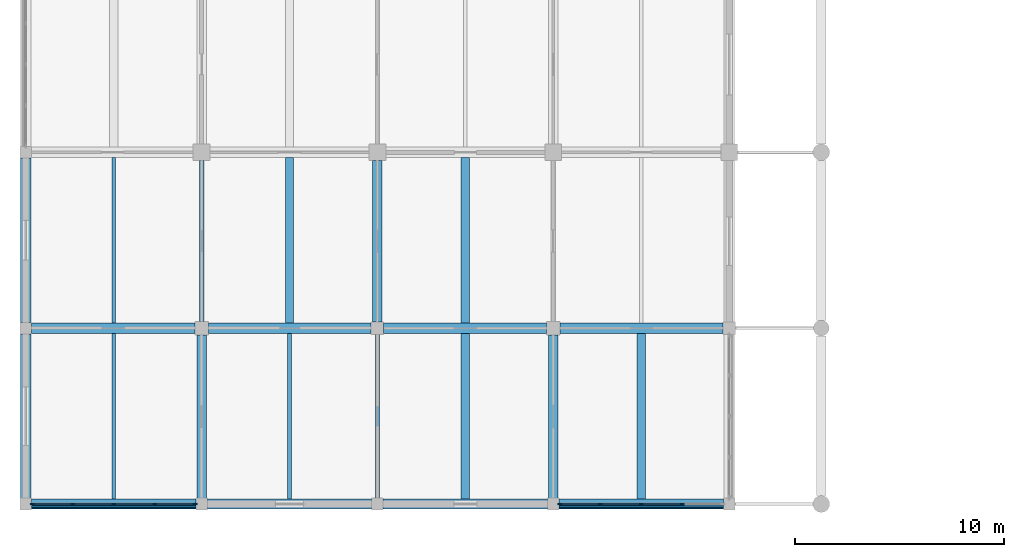
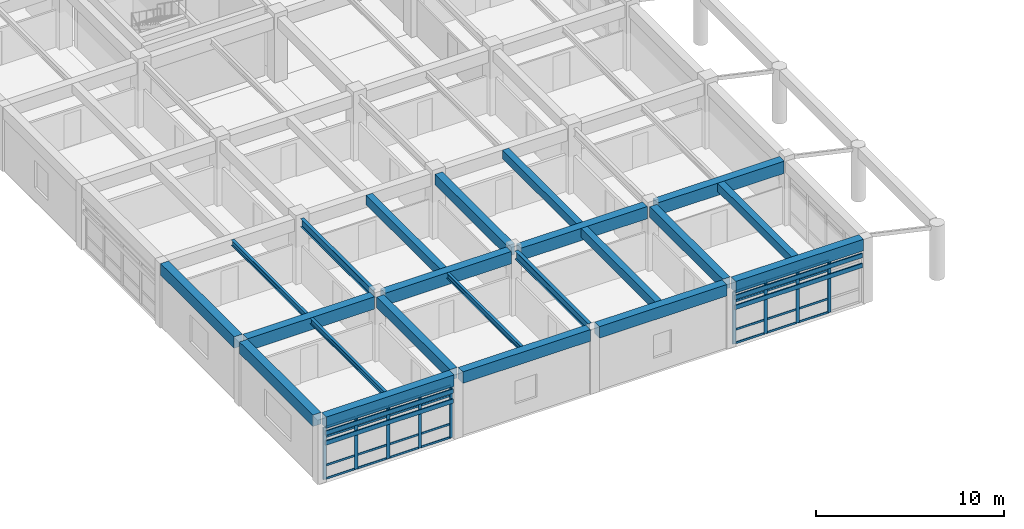
# One storey, part 3 of 99: 41 members, 22 beams, 2 elements without a shape of their own.
"""IFC4 building model written with IfcOpenShell, lengths in metres."""

from ifc_helpers import new_model, si_unit, direction, frame, origin, origin_2d, place, context, subcontext, project, spatial, rectangle, i_section, extrude, material, layer, layer_set, material_profile, profile_set, type_object, element, aggregate, save


model = new_model("IFC4")

# Units and contexts
model_context = context("Model", 3, precision=1e-05, world=origin(), true_north=direction((0.0, 1.0)))
body_context = subcontext(model_context, "Body", "Model", "MODEL_VIEW")
ifc_project = project(units=[si_unit("LENGTHUNIT", "METRE"), si_unit("AREAUNIT", "SQUARE_METRE"), si_unit("VOLUMEUNIT", "CUBIC_METRE"), si_unit("PLANEANGLEUNIT", "RADIAN"), si_unit("MASSUNIT", "GRAM", prefix="KILO")], contexts=[model_context])

# Site, building, storey
site_placement = place(None, origin())
site = spatial("IfcSite", under=ifc_project, at=site_placement, CompositionType="ELEMENT")
building_placement = place(site_placement, origin())
building = spatial("IfcBuilding", under=site, at=building_placement, Name="Porcellanite Civic Hall", CompositionType="ELEMENT")
storey_placement = place(building_placement, frame((0.0, 0.0, 5.760009765625)))
storey = spatial("IfcBuildingStorey", under=building, at=storey_placement, Name="L01", CompositionType="ELEMENT", Elevation=5.760009765625)

# Beams
ifc_material_1 = material(Name="Concrete N50 (50 MPa)", Category="concrete")
ifc_material_profile_1 = material_profile(ifc_material_1, rectangle(XDim=0.39990234375, YDim=0.550048828125, at=origin_2d()), Name="RC-400x550")
ifc_profile_set_1 = profile_set([ifc_material_profile_1], Name="Concrete N50 (50 MPa)")
beam_type_1 = type_object("IfcBeamType", Name="BM-RC550", PredefinedType="JOIST", material=ifc_profile_set_1)
beam_1_placement = place(storey_placement, frame((21.0, 8.6494140625, 3.925048828125), z_axis=(0.0, 1.0, 0.0), x_axis=(-1.0, 0.0, 0.0)))
element("IfcBeam", 1, at=beam_1_placement, inside=storey, type_object=beam_type_1, Name="Secondary joist L01 3-2", PredefinedType="JOIST", context=body_context, shape_type="SweptSolid", body=[
    extrude(rectangle(XDim=0.39990234375, YDim=0.550048828125, at=origin_2d()), origin(), (0.0, 0.0, 1.0), 7.901123046875),
])
beam_2_placement = place(storey_placement, frame((29.39990234375, 0.24951171875, 3.925048828125), z_axis=(0.0, 1.0, 0.0), x_axis=(-1.0, 0.0, 0.0)))
element("IfcBeam", 2, at=beam_2_placement, inside=storey, type_object=beam_type_1, Name="Secondary joist L01 4-1", PredefinedType="JOIST", context=body_context, shape_type="SweptSolid", body=[
    extrude(rectangle(XDim=0.39990234375, YDim=0.550048828125, at=origin_2d()), origin(), (0.0, 0.0, 1.0), 7.90087890625),
])
ifc_material_2 = material(Name="Concrete N50 (50 MPa)", Category="concrete")
ifc_material_profile_2 = material_profile(ifc_material_2, rectangle(XDim=0.39990234375, YDim=0.60009765625, at=origin_2d()), Name="RC-400x600")
ifc_profile_set_2 = profile_set([ifc_material_profile_2], Name="Concrete N50 (50 MPa)")
beam_type_2 = type_object("IfcBeamType", Name="BM-RC600", PredefinedType="JOIST", material=ifc_profile_set_2)
beam_3_placement = place(storey_placement, frame((12.60009765625, 8.6494140625, 3.89990234375), z_axis=(0.0, 1.0, 0.0), x_axis=(-1.0, 0.0, 0.0)))
element("IfcBeam", 3, at=beam_3_placement, inside=storey, type_object=beam_type_2, Name="Secondary joist L01 2-2", PredefinedType="JOIST", context=body_context, shape_type="SweptSolid", body=[
    extrude(rectangle(XDim=0.39990234375, YDim=0.60009765625, at=origin_2d()), origin(), (0.0, 0.0, 1.0), 7.901123046875),
])
beam_4_placement = place(storey_placement, frame((21.0, 0.24951171875, 3.89990234375), z_axis=(0.0, 1.0, 0.0), x_axis=(-1.0, 0.0, 0.0)))
element("IfcBeam", 4, at=beam_4_placement, inside=storey, type_object=beam_type_2, Name="Secondary joist L01 3-1", PredefinedType="JOIST", context=body_context, shape_type="SweptSolid", body=[
    extrude(rectangle(XDim=0.39990234375, YDim=0.60009765625, at=origin_2d()), origin(), (0.0, 0.0, 1.0), 7.90087890625),
])
ifc_material_3 = material(Name="Concrete N50 (50 MPa)", Category="concrete")
ifc_material_profile_3 = material_profile(ifc_material_3, rectangle(XDim=0.449951171875, YDim=0.699951171875, at=origin_2d()), Name="RC-450x700")
ifc_profile_set_3 = profile_set([ifc_material_profile_3], Name="Concrete N50 (50 MPa)")
beam_type_3 = type_object("IfcBeamType", Name="BM-RC700", PredefinedType="BEAM", material=ifc_profile_set_3)
beam_5_placement = place(storey_placement, frame((8.39990234375, 0.2744140625, 3.85009765625), z_axis=(0.0, 1.0, 0.0), x_axis=(-1.0, 0.0, 0.0)))
element("IfcBeam", 5, at=beam_5_placement, inside=storey, type_object=beam_type_3, Name="Beam Y L01 2-1", PredefinedType="BEAM", context=body_context, shape_type="SweptSolid", body=[
    extrude(rectangle(XDim=0.449951171875, YDim=0.699951171875, at=origin_2d()), origin(), (0.0, 0.0, 1.0), 7.801025390625),
])
beam_6_placement = place(storey_placement, frame((16.800048828125, 8.699462890625, 3.85009765625), z_axis=(0.0, 1.0, 0.0), x_axis=(-1.0, 0.0, 0.0)))
element("IfcBeam", 6, at=beam_6_placement, inside=storey, type_object=beam_type_3, Name="Beam Y L01 3-2", PredefinedType="BEAM", context=body_context, shape_type="SweptSolid", body=[
    extrude(rectangle(XDim=0.449951171875, YDim=0.699951171875, at=origin_2d()), origin(), (0.0, 0.0, 1.0), 7.700927734375),
])
beam_7_placement = place(storey_placement, frame((25.199951171875, 0.2744140625, 3.85009765625), z_axis=(0.0, 1.0, 0.0), x_axis=(-1.0, 0.0, 0.0)))
element("IfcBeam", 7, at=beam_7_placement, inside=storey, type_object=beam_type_3, Name="Beam Y L01 4-1", PredefinedType="BEAM", context=body_context, shape_type="SweptSolid", body=[
    extrude(rectangle(XDim=0.449951171875, YDim=0.699951171875, at=origin_2d()), origin(), (0.0, 0.0, 1.0), 7.801025390625),
])
ifc_material_4 = material(Name="Concrete N50 (50 MPa)", Category="concrete")
ifc_material_profile_4 = material_profile(ifc_material_4, rectangle(XDim=0.5, YDim=0.75, at=origin_2d()), Name="RC-500x750")
ifc_profile_set_4 = profile_set([ifc_material_profile_4], Name="Concrete N50 (50 MPa)")
beam_type_4 = type_object("IfcBeamType", Name="BM-RC750", PredefinedType="SPANDREL", material=ifc_profile_set_4)
beam_8_placement = place(storey_placement, frame((0.2744140625, 0.0, 3.824951171875), z_axis=(1.0, 0.0, 0.0), x_axis=(0.0, 1.0, 0.0)))
element("IfcBeam", 8, at=beam_8_placement, inside=storey, type_object=beam_type_4, Name="Beam X L01 1-1", PredefinedType="SPANDREL", context=body_context, shape_type="SweptSolid", body=[
    extrude(rectangle(XDim=0.5, YDim=0.75, at=origin_2d()), origin(), (0.0, 0.0, 1.0), 7.85107421875),
])
beam_9_placement = place(storey_placement, frame((8.674560546875, 0.0, 3.824951171875), z_axis=(1.0, 0.0, 0.0), x_axis=(0.0, 1.0, 0.0)))
element("IfcBeam", 9, at=beam_9_placement, inside=storey, type_object=beam_type_4, Name="Beam X L01 2-1", PredefinedType="SPANDREL", context=body_context, shape_type="SweptSolid", body=[
    extrude(rectangle(XDim=0.5, YDim=0.75, at=origin_2d()), origin(), (0.0, 0.0, 1.0), 7.850830078125),
])
beam_10_placement = place(storey_placement, frame((17.074462890625, 0.0, 3.824951171875), z_axis=(1.0, 0.0, 0.0), x_axis=(0.0, 1.0, 0.0)))
element("IfcBeam", 10, at=beam_10_placement, inside=storey, type_object=beam_type_4, Name="Beam X L01 3-1", PredefinedType="SPANDREL", context=body_context, shape_type="SweptSolid", body=[
    extrude(rectangle(XDim=0.5, YDim=0.75, at=origin_2d()), origin(), (0.0, 0.0, 1.0), 7.85107421875),
])
beam_11_placement = place(storey_placement, frame((25.474609375, 0.0, 3.824951171875), z_axis=(1.0, 0.0, 0.0), x_axis=(0.0, 1.0, 0.0)))
element("IfcBeam", 11, at=beam_11_placement, inside=storey, type_object=beam_type_4, Name="Beam X L01 4-1", PredefinedType="SPANDREL", context=body_context, shape_type="SweptSolid", body=[
    extrude(rectangle(XDim=0.5, YDim=0.75, at=origin_2d()), origin(), (0.0, 0.0, 1.0), 7.850830078125),
])
beam_12_placement = place(storey_placement, frame((0.0, 0.2744140625, 3.824951171875), z_axis=(0.0, 1.0, 0.0), x_axis=(-1.0, 0.0, 0.0)))
element("IfcBeam", 12, at=beam_12_placement, inside=storey, type_object=beam_type_4, Name="Beam Y L01 1-1", PredefinedType="SPANDREL", context=body_context, shape_type="SweptSolid", body=[
    extrude(rectangle(XDim=0.5, YDim=0.75, at=origin_2d()), origin(), (0.0, 0.0, 1.0), 7.85107421875),
])
beam_13_placement = place(storey_placement, frame((0.0, 8.674560546875, 3.824951171875), z_axis=(0.0, 1.0, 0.0), x_axis=(-1.0, 0.0, 0.0)))
element("IfcBeam", 13, at=beam_13_placement, inside=storey, type_object=beam_type_4, Name="Beam Y L01 1-2", PredefinedType="SPANDREL", context=body_context, shape_type="SweptSolid", body=[
    extrude(rectangle(XDim=0.5, YDim=0.75, at=origin_2d()), origin(), (0.0, 0.0, 1.0), 7.850830078125),
])
ifc_material_5 = material(Name="Concrete N50 (50 MPa)", Category="concrete")
ifc_material_profile_5 = material_profile(ifc_material_5, rectangle(XDim=0.5, YDim=0.800048828125, at=origin_2d()), Name="RC-500x800")
ifc_profile_set_5 = profile_set([ifc_material_profile_5], Name="Concrete N50 (50 MPa)")
beam_type_5 = type_object("IfcBeamType", Name="BM-RC800", PredefinedType="BEAM", material=ifc_profile_set_5)
beam_14_placement = place(storey_placement, frame((0.2744140625, 8.39990234375, 3.800048828125), z_axis=(1.0, 0.0, 0.0), x_axis=(0.0, 1.0, 0.0)))
element("IfcBeam", 14, at=beam_14_placement, inside=storey, type_object=beam_type_5, Name="Beam X L01 1-2", PredefinedType="BEAM", context=body_context, shape_type="SweptSolid", body=[
    extrude(rectangle(XDim=0.5, YDim=0.800048828125, at=origin_2d()), origin(), (0.0, 0.0, 1.0), 7.801025390625),
])
for number, where, z_axis, x_axis, name in (
    (15, (8.724609375, 8.39990234375, 3.800048828125), (1.0, 0.0, 0.0), (0.0, 1.0, 0.0), "Beam X L01 2-2"),
    (16, (17.099609375, 8.39990234375, 3.800048828125), (1.0, 0.0, 0.0), (0.0, 1.0, 0.0), "Beam X L01 3-2"),
):
    element("IfcBeam", number, at=place(storey_placement, frame(where, z_axis=z_axis, x_axis=x_axis)), inside=storey, type_object=beam_type_5, Name=name, PredefinedType="BEAM", context=body_context, shape_type="SweptSolid", body=[
        extrude(rectangle(XDim=0.5, YDim=0.800048828125, at=origin_2d()), origin(), (0.0, 0.0, 1.0), 7.77587890625),
    ])
beam_15_placement = place(storey_placement, frame((25.5244140625, 8.39990234375, 3.800048828125), z_axis=(1.0, 0.0, 0.0), x_axis=(0.0, 1.0, 0.0)))
element("IfcBeam", 17, at=beam_15_placement, inside=storey, type_object=beam_type_5, Name="Beam X L01 4-2", PredefinedType="BEAM", context=body_context, shape_type="SweptSolid", body=[
    extrude(rectangle(XDim=0.5, YDim=0.800048828125, at=origin_2d()), origin(), (0.0, 0.0, 1.0), 7.776123046875),
])

# Curtain wall, members
ifc_material_6 = material(Name="Anodised aluminium and solar laminated glass", Category="aluminium")
ifc_layer = layer(ifc_material_6, 0.179931640625)
ifc_layer_set = layer_set([ifc_layer], Name="Anodised aluminium and solar laminated glass")
curtain_wall_type = type_object("IfcCurtainWallType", Name="CW-SYS05", PredefinedType="NOTDEFINED", material=ifc_layer_set)
curtain_wall_1_placement = place(storey_placement, origin())
curtain_wall_1 = element("IfcCurtainWall", 18, at=curtain_wall_1_placement, inside=storey, type_object=curtain_wall_type, Name="Curtain wall CW-060", PredefinedType="NOTDEFINED")
ifc_material_7 = material(Name="Anodised aluminium 6063-T6", Category="aluminium")
ifc_material_profile_6 = material_profile(ifc_material_7, rectangle(XDim=0.070068359375, YDim=0.199951171875, at=origin_2d()), Name="AL-70x200")
ifc_profile_set_6 = profile_set([ifc_material_profile_6], Name="Anodised aluminium 6063-T6")
member_type_1 = type_object("IfcMemberType", Name="CWM-05", PredefinedType="MULLION", material=ifc_profile_set_6)
member_1_placement = place(storey_placement, frame((8.089111328125, 0.0, 0.0), z_axis=(0.0, 0.0, 1.0), x_axis=(0.0, -1.0, 0.0)))
member_1 = element("IfcMember", 19, at=member_1_placement, type_object=member_type_1, Name="CW-060 mullion 1", PredefinedType="MULLION", context=body_context, shape_type="SweptSolid", body=[
    extrude(rectangle(XDim=0.070068359375, YDim=0.199951171875, at=origin_2d()), origin(), (0.0, 0.0, 1.0), 3.39990234375),
])
member_2_placement = place(storey_placement, frame((6.162109375, 0.0, 0.0), z_axis=(0.0, 0.0, 1.0), x_axis=(0.0, -1.0, 0.0)))
member_2 = element("IfcMember", 20, at=member_2_placement, type_object=member_type_1, Name="CW-060 mullion 2", PredefinedType="MULLION", context=body_context, shape_type="SweptSolid", body=[
    extrude(rectangle(XDim=0.070068359375, YDim=0.199951171875, at=origin_2d()), origin(), (0.0, 0.0, 1.0), 3.39990234375),
])
member_3_placement = place(storey_placement, frame((4.199951171875, 0.0, 0.0), z_axis=(0.0, 0.0, 1.0), x_axis=(0.0, -1.0, 0.0)))
member_3 = element("IfcMember", 21, at=member_3_placement, type_object=member_type_1, Name="CW-060 mullion 3", PredefinedType="MULLION", context=body_context, shape_type="SweptSolid", body=[
    extrude(rectangle(XDim=0.070068359375, YDim=0.199951171875, at=origin_2d()), origin(), (0.0, 0.0, 1.0), 3.39990234375),
])
member_4_placement = place(storey_placement, frame((2.238037109375, 0.0, 0.0), z_axis=(0.0, 0.0, 1.0), x_axis=(0.0, -1.0, 0.0)))
member_4 = element("IfcMember", 22, at=member_4_placement, type_object=member_type_1, Name="CW-060 mullion 4", PredefinedType="MULLION", context=body_context, shape_type="SweptSolid", body=[
    extrude(rectangle(XDim=0.070068359375, YDim=0.199951171875, at=origin_2d()), origin(), (0.0, 0.0, 1.0), 3.39990234375),
])
member_5_placement = place(storey_placement, frame((0.31103515625, 0.0, 0.0), z_axis=(0.0, 0.0, 1.0), x_axis=(0.0, -1.0, 0.0)))
member_5 = element("IfcMember", 23, at=member_5_placement, type_object=member_type_1, Name="CW-060 mullion 5", PredefinedType="MULLION", context=body_context, shape_type="SweptSolid", body=[
    extrude(rectangle(XDim=0.070068359375, YDim=0.199951171875, at=origin_2d()), origin(), (0.0, 0.0, 1.0), 3.39990234375),
])

curtain_wall_2_placement = place(storey_placement, origin())
curtain_wall_2 = element("IfcCurtainWall", 24, at=curtain_wall_2_placement, inside=storey, type_object=curtain_wall_type, Name="Curtain wall CW-069", PredefinedType="NOTDEFINED")
member_6_placement = place(storey_placement, frame((31.362060546875, 0.0, 0.0), z_axis=(0.0, 0.0, 1.0), x_axis=(0.0, -1.0, 0.0)))
member_6 = element("IfcMember", 25, at=member_6_placement, type_object=member_type_1, Name="CW-069 mullion 2", PredefinedType="MULLION", context=body_context, shape_type="SweptSolid", body=[
    extrude(rectangle(XDim=0.070068359375, YDim=0.199951171875, at=origin_2d()), origin(), (0.0, 0.0, 1.0), 3.39990234375),
])
member_7_placement = place(storey_placement, frame((29.39990234375, 0.0, 0.0), z_axis=(0.0, 0.0, 1.0), x_axis=(0.0, -1.0, 0.0)))
member_7 = element("IfcMember", 26, at=member_7_placement, type_object=member_type_1, Name="CW-069 mullion 3", PredefinedType="MULLION", context=body_context, shape_type="SweptSolid", body=[
    extrude(rectangle(XDim=0.070068359375, YDim=0.199951171875, at=origin_2d()), origin(), (0.0, 0.0, 1.0), 3.39990234375),
])
member_8_placement = place(storey_placement, frame((27.43798828125, 0.0, 0.0), z_axis=(0.0, 0.0, 1.0), x_axis=(0.0, -1.0, 0.0)))
member_8 = element("IfcMember", 27, at=member_8_placement, type_object=member_type_1, Name="CW-069 mullion 4", PredefinedType="MULLION", context=body_context, shape_type="SweptSolid", body=[
    extrude(rectangle(XDim=0.070068359375, YDim=0.199951171875, at=origin_2d()), origin(), (0.0, 0.0, 1.0), 3.39990234375),
])
member_9_placement = place(storey_placement, frame((25.510986328125, 0.0, 0.0), z_axis=(0.0, 0.0, 1.0), x_axis=(0.0, -1.0, 0.0)))
member_9 = element("IfcMember", 28, at=member_9_placement, type_object=member_type_1, Name="CW-069 mullion 5", PredefinedType="MULLION", context=body_context, shape_type="SweptSolid", body=[
    extrude(rectangle(XDim=0.070068359375, YDim=0.199951171875, at=origin_2d()), origin(), (0.0, 0.0, 1.0), 3.39990234375),
])

# Member
ifc_material_8 = material(Name="Anodised aluminium 6063-T6", Category="aluminium")
ifc_material_profile_7 = material_profile(ifc_material_8, rectangle(XDim=0.06005859375, YDim=0.1298828125, at=origin_2d()), Name="AL-60x130")
ifc_profile_set_7 = profile_set([ifc_material_profile_7], Name="Anodised aluminium 6063-T6")
member_type_2 = type_object("IfcMemberType", Name="CWT-03", PredefinedType="USERDEFINED", material=ifc_profile_set_7)
member_10_placement = place(storey_placement, frame((8.053955078125, 0.0, 0.030029296875), z_axis=(-1.0, 0.0, 0.0), x_axis=(0.0, -1.0, 0.0)))
member_10 = element("IfcMember", 29, at=member_10_placement, type_object=member_type_2, Name="CW-060 transom 1.1", ObjectType="TRANSOM", PredefinedType="USERDEFINED", context=body_context, shape_type="SweptSolid", body=[
    extrude(rectangle(XDim=0.06005859375, YDim=0.1298828125, at=origin_2d()), origin(), (0.0, 0.0, 1.0), 1.85693359375),
])

member_11_placement = place(storey_placement, frame((8.053955078125, 0.0, 0.89990234375), z_axis=(-1.0, 0.0, 0.0), x_axis=(0.0, -1.0, 0.0)))
member_11 = element("IfcMember", 30, at=member_11_placement, type_object=member_type_2, Name="CW-060 transom 1.2", ObjectType="TRANSOM", PredefinedType="USERDEFINED", context=body_context, shape_type="SweptSolid", body=[
    extrude(rectangle(XDim=0.06005859375, YDim=0.1298828125, at=origin_2d()), origin(), (0.0, 0.0, 1.0), 1.85693359375),
])

member_12_placement = place(storey_placement, frame((8.053955078125, 0.0, 2.75), z_axis=(-1.0, 0.0, 0.0), x_axis=(0.0, -1.0, 0.0)))
member_12 = element("IfcMember", 31, at=member_12_placement, type_object=member_type_2, Name="CW-060 transom 1.3", ObjectType="TRANSOM", PredefinedType="USERDEFINED", context=body_context, shape_type="SweptSolid", body=[
    extrude(rectangle(XDim=0.06005859375, YDim=0.1298828125, at=origin_2d()), origin(), (0.0, 0.0, 1.0), 1.85693359375),
])

member_13_placement = place(storey_placement, frame((8.053955078125, 0.0, 3.369873046875), z_axis=(-1.0, 0.0, 0.0), x_axis=(0.0, -1.0, 0.0)))
member_13 = element("IfcMember", 32, at=member_13_placement, type_object=member_type_2, Name="CW-060 transom 1.4", ObjectType="TRANSOM", PredefinedType="USERDEFINED", context=body_context, shape_type="SweptSolid", body=[
    extrude(rectangle(XDim=0.06005859375, YDim=0.1298828125, at=origin_2d()), origin(), (0.0, 0.0, 1.0), 1.85693359375),
])

member_14_placement = place(storey_placement, frame((6.126953125, 0.0, 0.030029296875), z_axis=(-1.0, 0.0, 0.0), x_axis=(0.0, -1.0, 0.0)))
member_14 = element("IfcMember", 33, at=member_14_placement, type_object=member_type_2, Name="CW-060 transom 2.1", ObjectType="TRANSOM", PredefinedType="USERDEFINED", context=body_context, shape_type="SweptSolid", body=[
    extrude(rectangle(XDim=0.06005859375, YDim=0.1298828125, at=origin_2d()), origin(), (0.0, 0.0, 1.0), 1.891845703125),
])

member_15_placement = place(storey_placement, frame((6.126953125, 0.0, 0.89990234375), z_axis=(-1.0, 0.0, 0.0), x_axis=(0.0, -1.0, 0.0)))
member_15 = element("IfcMember", 34, at=member_15_placement, type_object=member_type_2, Name="CW-060 transom 2.2", ObjectType="TRANSOM", PredefinedType="USERDEFINED", context=body_context, shape_type="SweptSolid", body=[
    extrude(rectangle(XDim=0.06005859375, YDim=0.1298828125, at=origin_2d()), origin(), (0.0, 0.0, 1.0), 1.891845703125),
])

member_16_placement = place(storey_placement, frame((6.126953125, 0.0, 2.75), z_axis=(-1.0, 0.0, 0.0), x_axis=(0.0, -1.0, 0.0)))
member_16 = element("IfcMember", 35, at=member_16_placement, type_object=member_type_2, Name="CW-060 transom 2.3", ObjectType="TRANSOM", PredefinedType="USERDEFINED", context=body_context, shape_type="SweptSolid", body=[
    extrude(rectangle(XDim=0.06005859375, YDim=0.1298828125, at=origin_2d()), origin(), (0.0, 0.0, 1.0), 1.891845703125),
])

member_17_placement = place(storey_placement, frame((6.126953125, 0.0, 3.369873046875), z_axis=(-1.0, 0.0, 0.0), x_axis=(0.0, -1.0, 0.0)))
member_17 = element("IfcMember", 36, at=member_17_placement, type_object=member_type_2, Name="CW-060 transom 2.4", ObjectType="TRANSOM", PredefinedType="USERDEFINED", context=body_context, shape_type="SweptSolid", body=[
    extrude(rectangle(XDim=0.06005859375, YDim=0.1298828125, at=origin_2d()), origin(), (0.0, 0.0, 1.0), 1.891845703125),
])

member_18_placement = place(storey_placement, frame((4.1650390625, 0.0, 0.030029296875), z_axis=(-1.0, 0.0, 0.0), x_axis=(0.0, -1.0, 0.0)))
member_18 = element("IfcMember", 37, at=member_18_placement, type_object=member_type_2, Name="CW-060 transom 3.1", ObjectType="TRANSOM", PredefinedType="USERDEFINED", context=body_context, shape_type="SweptSolid", body=[
    extrude(rectangle(XDim=0.06005859375, YDim=0.1298828125, at=origin_2d()), origin(), (0.0, 0.0, 1.0), 1.89208984375),
])

member_19_placement = place(storey_placement, frame((4.1650390625, 0.0, 0.89990234375), z_axis=(-1.0, 0.0, 0.0), x_axis=(0.0, -1.0, 0.0)))
member_19 = element("IfcMember", 38, at=member_19_placement, type_object=member_type_2, Name="CW-060 transom 3.2", ObjectType="TRANSOM", PredefinedType="USERDEFINED", context=body_context, shape_type="SweptSolid", body=[
    extrude(rectangle(XDim=0.06005859375, YDim=0.1298828125, at=origin_2d()), origin(), (0.0, 0.0, 1.0), 1.89208984375),
])

member_20_placement = place(storey_placement, frame((4.1650390625, 0.0, 2.75), z_axis=(-1.0, 0.0, 0.0), x_axis=(0.0, -1.0, 0.0)))
member_20 = element("IfcMember", 39, at=member_20_placement, type_object=member_type_2, Name="CW-060 transom 3.3", ObjectType="TRANSOM", PredefinedType="USERDEFINED", context=body_context, shape_type="SweptSolid", body=[
    extrude(rectangle(XDim=0.06005859375, YDim=0.1298828125, at=origin_2d()), origin(), (0.0, 0.0, 1.0), 1.89208984375),
])

member_21_placement = place(storey_placement, frame((4.1650390625, 0.0, 3.369873046875), z_axis=(-1.0, 0.0, 0.0), x_axis=(0.0, -1.0, 0.0)))
member_21 = element("IfcMember", 40, at=member_21_placement, type_object=member_type_2, Name="CW-060 transom 3.4", ObjectType="TRANSOM", PredefinedType="USERDEFINED", context=body_context, shape_type="SweptSolid", body=[
    extrude(rectangle(XDim=0.06005859375, YDim=0.1298828125, at=origin_2d()), origin(), (0.0, 0.0, 1.0), 1.89208984375),
])

member_22_placement = place(storey_placement, frame((2.202880859375, 0.0, 0.030029296875), z_axis=(-1.0, 0.0, 0.0), x_axis=(0.0, -1.0, 0.0)))
member_22 = element("IfcMember", 41, at=member_22_placement, type_object=member_type_2, Name="CW-060 transom 4.1", ObjectType="TRANSOM", PredefinedType="USERDEFINED", context=body_context, shape_type="SweptSolid", body=[
    extrude(rectangle(XDim=0.06005859375, YDim=0.1298828125, at=origin_2d()), origin(), (0.0, 0.0, 1.0), 1.85693359375),
])

member_23_placement = place(storey_placement, frame((2.202880859375, 0.0, 0.89990234375), z_axis=(-1.0, 0.0, 0.0), x_axis=(0.0, -1.0, 0.0)))
member_23 = element("IfcMember", 42, at=member_23_placement, type_object=member_type_2, Name="CW-060 transom 4.2", ObjectType="TRANSOM", PredefinedType="USERDEFINED", context=body_context, shape_type="SweptSolid", body=[
    extrude(rectangle(XDim=0.06005859375, YDim=0.1298828125, at=origin_2d()), origin(), (0.0, 0.0, 1.0), 1.85693359375),
])

member_24_placement = place(storey_placement, frame((2.202880859375, 0.0, 2.75), z_axis=(-1.0, 0.0, 0.0), x_axis=(0.0, -1.0, 0.0)))
member_24 = element("IfcMember", 43, at=member_24_placement, type_object=member_type_2, Name="CW-060 transom 4.3", ObjectType="TRANSOM", PredefinedType="USERDEFINED", context=body_context, shape_type="SweptSolid", body=[
    extrude(rectangle(XDim=0.06005859375, YDim=0.1298828125, at=origin_2d()), origin(), (0.0, 0.0, 1.0), 1.85693359375),
])

member_25_placement = place(storey_placement, frame((2.202880859375, 0.0, 3.369873046875), z_axis=(-1.0, 0.0, 0.0), x_axis=(0.0, -1.0, 0.0)))
member_25 = element("IfcMember", 44, at=member_25_placement, type_object=member_type_2, Name="CW-060 transom 4.4", ObjectType="TRANSOM", PredefinedType="USERDEFINED", context=body_context, shape_type="SweptSolid", body=[
    extrude(rectangle(XDim=0.06005859375, YDim=0.1298828125, at=origin_2d()), origin(), (0.0, 0.0, 1.0), 1.85693359375),
])

aggregate(curtain_wall_1, [member_1, member_2, member_3, member_4, member_5, member_10, member_11, member_12, member_13, member_14, member_15, member_16, member_17, member_18, member_19, member_20, member_21, member_22, member_23, member_24, member_25])

member_26_placement = place(storey_placement, frame((31.326904296875, 0.0, 0.030029296875), z_axis=(-1.0, 0.0, 0.0), x_axis=(0.0, -1.0, 0.0)))
member_26 = element("IfcMember", 45, at=member_26_placement, type_object=member_type_2, Name="CW-069 transom 2.1", ObjectType="TRANSOM", PredefinedType="USERDEFINED", context=body_context, shape_type="SweptSolid", body=[
    extrude(rectangle(XDim=0.06005859375, YDim=0.1298828125, at=origin_2d()), origin(), (0.0, 0.0, 1.0), 1.891845703125),
])

member_27_placement = place(storey_placement, frame((31.326904296875, 0.0, 0.89990234375), z_axis=(-1.0, 0.0, 0.0), x_axis=(0.0, -1.0, 0.0)))
member_27 = element("IfcMember", 46, at=member_27_placement, type_object=member_type_2, Name="CW-069 transom 2.2", ObjectType="TRANSOM", PredefinedType="USERDEFINED", context=body_context, shape_type="SweptSolid", body=[
    extrude(rectangle(XDim=0.06005859375, YDim=0.1298828125, at=origin_2d()), origin(), (0.0, 0.0, 1.0), 1.891845703125),
])

member_28_placement = place(storey_placement, frame((31.326904296875, 0.0, 2.75), z_axis=(-1.0, 0.0, 0.0), x_axis=(0.0, -1.0, 0.0)))
member_28 = element("IfcMember", 47, at=member_28_placement, type_object=member_type_2, Name="CW-069 transom 2.3", ObjectType="TRANSOM", PredefinedType="USERDEFINED", context=body_context, shape_type="SweptSolid", body=[
    extrude(rectangle(XDim=0.06005859375, YDim=0.1298828125, at=origin_2d()), origin(), (0.0, 0.0, 1.0), 1.891845703125),
])

member_29_placement = place(storey_placement, frame((31.326904296875, 0.0, 3.369873046875), z_axis=(-1.0, 0.0, 0.0), x_axis=(0.0, -1.0, 0.0)))
member_29 = element("IfcMember", 48, at=member_29_placement, type_object=member_type_2, Name="CW-069 transom 2.4", ObjectType="TRANSOM", PredefinedType="USERDEFINED", context=body_context, shape_type="SweptSolid", body=[
    extrude(rectangle(XDim=0.06005859375, YDim=0.1298828125, at=origin_2d()), origin(), (0.0, 0.0, 1.0), 1.891845703125),
])

member_30_placement = place(storey_placement, frame((29.364990234375, 0.0, 0.030029296875), z_axis=(-1.0, 0.0, 0.0), x_axis=(0.0, -1.0, 0.0)))
member_30 = element("IfcMember", 49, at=member_30_placement, type_object=member_type_2, Name="CW-069 transom 3.1", ObjectType="TRANSOM", PredefinedType="USERDEFINED", context=body_context, shape_type="SweptSolid", body=[
    extrude(rectangle(XDim=0.06005859375, YDim=0.1298828125, at=origin_2d()), origin(), (0.0, 0.0, 1.0), 1.89208984375),
])

member_31_placement = place(storey_placement, frame((29.364990234375, 0.0, 0.89990234375), z_axis=(-1.0, 0.0, 0.0), x_axis=(0.0, -1.0, 0.0)))
member_31 = element("IfcMember", 50, at=member_31_placement, type_object=member_type_2, Name="CW-069 transom 3.2", ObjectType="TRANSOM", PredefinedType="USERDEFINED", context=body_context, shape_type="SweptSolid", body=[
    extrude(rectangle(XDim=0.06005859375, YDim=0.1298828125, at=origin_2d()), origin(), (0.0, 0.0, 1.0), 1.89208984375),
])

member_32_placement = place(storey_placement, frame((29.364990234375, 0.0, 2.75), z_axis=(-1.0, 0.0, 0.0), x_axis=(0.0, -1.0, 0.0)))
member_32 = element("IfcMember", 51, at=member_32_placement, type_object=member_type_2, Name="CW-069 transom 3.3", ObjectType="TRANSOM", PredefinedType="USERDEFINED", context=body_context, shape_type="SweptSolid", body=[
    extrude(rectangle(XDim=0.06005859375, YDim=0.1298828125, at=origin_2d()), origin(), (0.0, 0.0, 1.0), 1.89208984375),
])

member_33_placement = place(storey_placement, frame((29.364990234375, 0.0, 3.369873046875), z_axis=(-1.0, 0.0, 0.0), x_axis=(0.0, -1.0, 0.0)))
member_33 = element("IfcMember", 52, at=member_33_placement, type_object=member_type_2, Name="CW-069 transom 3.4", ObjectType="TRANSOM", PredefinedType="USERDEFINED", context=body_context, shape_type="SweptSolid", body=[
    extrude(rectangle(XDim=0.06005859375, YDim=0.1298828125, at=origin_2d()), origin(), (0.0, 0.0, 1.0), 1.89208984375),
])

member_34_placement = place(storey_placement, frame((27.403076171875, 0.0, 0.030029296875), z_axis=(-1.0, 0.0, 0.0), x_axis=(0.0, -1.0, 0.0)))
member_34 = element("IfcMember", 53, at=member_34_placement, type_object=member_type_2, Name="CW-069 transom 4.1", ObjectType="TRANSOM", PredefinedType="USERDEFINED", context=body_context, shape_type="SweptSolid", body=[
    extrude(rectangle(XDim=0.06005859375, YDim=0.1298828125, at=origin_2d()), origin(), (0.0, 0.0, 1.0), 1.857177734375),
])

member_35_placement = place(storey_placement, frame((27.403076171875, 0.0, 0.89990234375), z_axis=(-1.0, 0.0, 0.0), x_axis=(0.0, -1.0, 0.0)))
member_35 = element("IfcMember", 54, at=member_35_placement, type_object=member_type_2, Name="CW-069 transom 4.2", ObjectType="TRANSOM", PredefinedType="USERDEFINED", context=body_context, shape_type="SweptSolid", body=[
    extrude(rectangle(XDim=0.06005859375, YDim=0.1298828125, at=origin_2d()), origin(), (0.0, 0.0, 1.0), 1.857177734375),
])

member_36_placement = place(storey_placement, frame((27.403076171875, 0.0, 2.75), z_axis=(-1.0, 0.0, 0.0), x_axis=(0.0, -1.0, 0.0)))
member_36 = element("IfcMember", 55, at=member_36_placement, type_object=member_type_2, Name="CW-069 transom 4.3", ObjectType="TRANSOM", PredefinedType="USERDEFINED", context=body_context, shape_type="SweptSolid", body=[
    extrude(rectangle(XDim=0.06005859375, YDim=0.1298828125, at=origin_2d()), origin(), (0.0, 0.0, 1.0), 1.857177734375),
])

member_37_placement = place(storey_placement, frame((27.403076171875, 0.0, 3.369873046875), z_axis=(-1.0, 0.0, 0.0), x_axis=(0.0, -1.0, 0.0)))
member_37 = element("IfcMember", 56, at=member_37_placement, type_object=member_type_2, Name="CW-069 transom 4.4", ObjectType="TRANSOM", PredefinedType="USERDEFINED", context=body_context, shape_type="SweptSolid", body=[
    extrude(rectangle(XDim=0.06005859375, YDim=0.1298828125, at=origin_2d()), origin(), (0.0, 0.0, 1.0), 1.857177734375),
])

aggregate(curtain_wall_2, [member_6, member_7, member_8, member_9, member_26, member_27, member_28, member_29, member_30, member_31, member_32, member_33, member_34, member_35, member_36, member_37])

# Beams
ifc_material_9 = material(Name="Steel Grade 350", Category="steel")
ifc_material_profile_8 = material_profile(ifc_material_9, i_section(OverallWidth=0.1708984375, OverallDepth=0.35595703125, WebThickness=0.00732421875, FlangeThickness=0.011474609375, FilletRadius=0.011474609375, at=origin_2d()), Name="360UB50.7")
ifc_profile_set_8 = profile_set([ifc_material_profile_8], Name="Steel Grade 350")
beam_type_6 = type_object("IfcBeamType", Name="JST-360UB51", PredefinedType="JOIST", material=ifc_profile_set_8)
beam_16_placement = place(storey_placement, frame((4.199951171875, 8.6494140625, 4.02197265625), z_axis=(0.0, 1.0, 0.0), x_axis=(-1.0, 0.0, 0.0)))
element("IfcBeam", 57, at=beam_16_placement, inside=storey, type_object=beam_type_6, Name="Secondary joist L01 1-2", PredefinedType="JOIST", context=body_context, shape_type="SweptSolid", body=[
    extrude(i_section(OverallWidth=0.1708984375, OverallDepth=0.35595703125, WebThickness=0.00732421875, FlangeThickness=0.011474609375, FilletRadius=0.011474609375, at=origin_2d()), origin(), (0.0, 0.0, 1.0), 7.901123046875),
])
beam_17_placement = place(storey_placement, frame((12.60009765625, 0.24951171875, 4.02197265625), z_axis=(0.0, 1.0, 0.0), x_axis=(-1.0, 0.0, 0.0)))
element("IfcBeam", 58, at=beam_17_placement, inside=storey, type_object=beam_type_6, Name="Secondary joist L01 2-1", PredefinedType="JOIST", context=body_context, shape_type="SweptSolid", body=[
    extrude(i_section(OverallWidth=0.1708984375, OverallDepth=0.35595703125, WebThickness=0.00732421875, FlangeThickness=0.011474609375, FilletRadius=0.011474609375, at=origin_2d()), origin(), (0.0, 0.0, 1.0), 7.90087890625),
])
ifc_material_10 = material(Name="Steel Grade 350", Category="steel")
ifc_material_profile_9 = material_profile(ifc_material_10, i_section(OverallWidth=0.172119140625, OverallDepth=0.35888671875, WebThickness=0.008056640625, FlangeThickness=0.012939453125, FilletRadius=0.011474609375, at=origin_2d()), Name="360UB56.7")
ifc_profile_set_9 = profile_set([ifc_material_profile_9], Name="Steel Grade 350")
beam_type_7 = type_object("IfcBeamType", Name="JST-360UB57", PredefinedType="JOIST", material=ifc_profile_set_9)
beam_18_placement = place(storey_placement, frame((4.199951171875, 0.24951171875, 4.0205078125), z_axis=(0.0, 1.0, 0.0), x_axis=(-1.0, 0.0, 0.0)))
element("IfcBeam", 59, at=beam_18_placement, inside=storey, type_object=beam_type_7, Name="Secondary joist L01 1-1", PredefinedType="JOIST", context=body_context, shape_type="SweptSolid", body=[
    extrude(i_section(OverallWidth=0.172119140625, OverallDepth=0.35888671875, WebThickness=0.008056640625, FlangeThickness=0.012939453125, FilletRadius=0.011474609375, at=origin_2d()), origin(), (0.0, 0.0, 1.0), 7.90087890625),
])

# Members
ifc_material_11 = material(Name="Fluoropolymer bauxite-red aluminium 6063-T6", Category="aluminium")
ifc_material_profile_10 = material_profile(ifc_material_11, rectangle(XDim=0.070068359375, YDim=0.280029296875, at=origin_2d()), Name="AL-70x280")
ifc_profile_set_10 = profile_set([ifc_material_profile_10], Name="Fluoropolymer bauxite-red aluminium 6063-T6")
member_type_3 = type_object("IfcMemberType", Name="LV-BLD05", PredefinedType="USERDEFINED", material=ifc_profile_set_10)
for number, where, z_axis, x_axis, name in (
    (60, (8.12548828125, -0.136962890625, 3.10009765625), (-1.0, 0.0, 0.0), (0.0, -1.0, 0.0), "Cyclone sunshade louvre L01 S 0-0 1"),
    (61, (8.12548828125, -0.136962890625, 2.449951171875), (-1.0, 0.0, 0.0), (0.0, -1.0, 0.0), "Cyclone sunshade louvre L01 S 0-0 2"),
):
    element("IfcMember", number, at=place(storey_placement, frame(where, z_axis=z_axis, x_axis=x_axis)), inside=storey, type_object=member_type_3, Name=name, ObjectType="LOUVRE BLADE", PredefinedType="USERDEFINED", context=body_context, shape_type="SweptSolid", body=[
        extrude(rectangle(XDim=0.070068359375, YDim=0.280029296875, at=origin_2d()), origin(), (0.0, 0.0, 1.0), 7.85107421875),
    ])
for number, where, z_axis, x_axis, name in (
    (62, (33.325439453125, -0.136962890625, 3.10009765625), (-1.0, 0.0, 0.0), (0.0, -1.0, 0.0), "Cyclone sunshade louvre L01 S 3-0 1"),
    (63, (33.325439453125, -0.136962890625, 2.449951171875), (-1.0, 0.0, 0.0), (0.0, -1.0, 0.0), "Cyclone sunshade louvre L01 S 3-0 2"),
):
    element("IfcMember", number, at=place(storey_placement, frame(where, z_axis=z_axis, x_axis=x_axis)), inside=storey, type_object=member_type_3, Name=name, ObjectType="LOUVRE BLADE", PredefinedType="USERDEFINED", context=body_context, shape_type="SweptSolid", body=[
        extrude(rectangle(XDim=0.070068359375, YDim=0.280029296875, at=origin_2d()), origin(), (0.0, 0.0, 1.0), 7.850830078125),
    ])

# Beams
ifc_material_12 = material(Name="Steel Grade 350", Category="steel")
ifc_material_profile_11 = material_profile(ifc_material_12, i_section(OverallWidth=0.208984375, OverallDepth=0.528076171875, WebThickness=0.009521484375, FlangeThickness=0.01318359375, FilletRadius=0.013916015625, at=origin_2d()), Name="530UB82.0")
ifc_profile_set_11 = profile_set([ifc_material_profile_11], Name="Steel Grade 350")
beam_type_8 = type_object("IfcBeamType", Name="RAF-530UB82", PredefinedType="BEAM", material=ifc_profile_set_11)
beam_19_placement = place(storey_placement, frame((8.39990234375, 8.724609375, 3.93603515625), z_axis=(0.0, 1.0, 0.0), x_axis=(-1.0, 0.0, 0.0)))
element("IfcBeam", 64, at=beam_19_placement, inside=storey, type_object=beam_type_8, Name="Beam Y L01 2-2", PredefinedType="BEAM", context=body_context, shape_type="SweptSolid", body=[
    extrude(i_section(OverallWidth=0.208984375, OverallDepth=0.528076171875, WebThickness=0.009521484375, FlangeThickness=0.01318359375, FilletRadius=0.013916015625, at=origin_2d()), origin(), (0.0, 0.0, 1.0), 7.67578125),
])
beam_20_placement = place(storey_placement, frame((16.800048828125, 0.2744140625, 3.93603515625), z_axis=(0.0, 1.0, 0.0), x_axis=(-1.0, 0.0, 0.0)))
element("IfcBeam", 65, at=beam_20_placement, inside=storey, type_object=beam_type_8, Name="Beam Y L01 3-1", PredefinedType="BEAM", context=body_context, shape_type="SweptSolid", body=[
    extrude(i_section(OverallWidth=0.208984375, OverallDepth=0.528076171875, WebThickness=0.009521484375, FlangeThickness=0.01318359375, FilletRadius=0.013916015625, at=origin_2d()), origin(), (0.0, 0.0, 1.0), 7.826171875),
])

save(model, "model.ifc")
